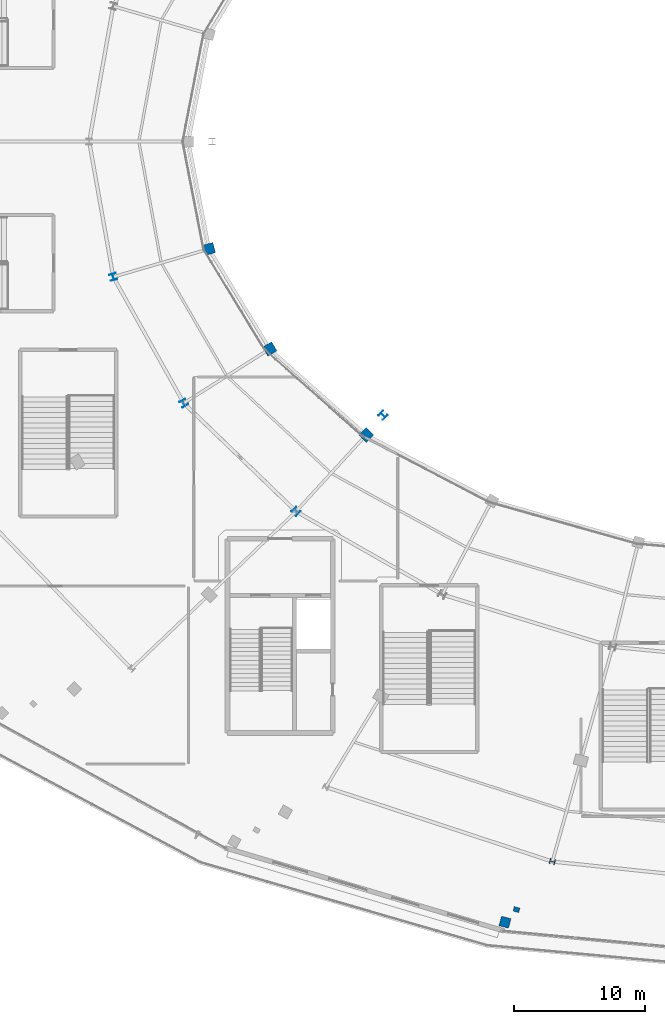
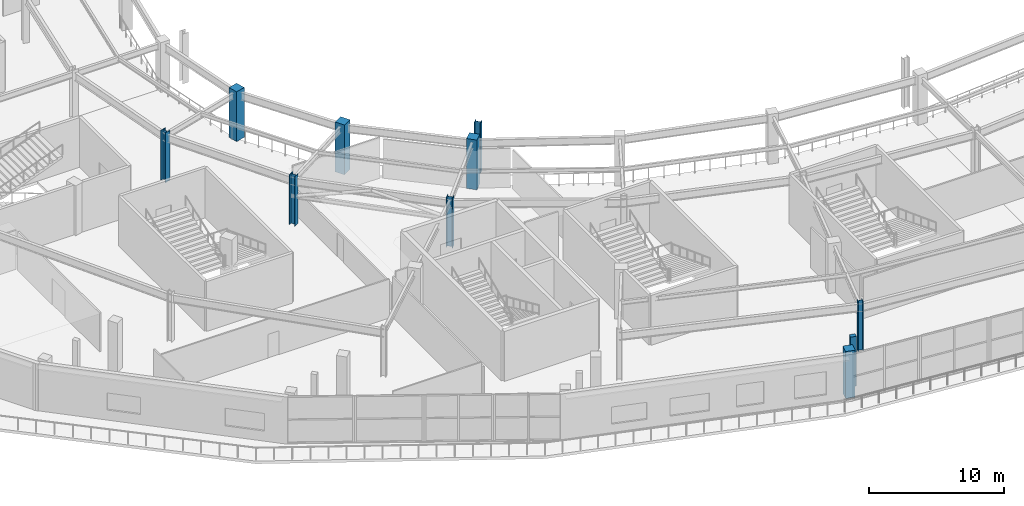
# One storey, part 3 of 107: 10 columns.
"""IFC4 building model written with IfcOpenShell, lengths in metres."""

from ifc_helpers import new_model, si_unit, direction, frame, origin, origin_2d, place, context, subcontext, project, spatial, rectangle, i_section, extrude, material, material_profile, profile_set, type_object, element, save


model = new_model("IFC4")

# Units and contexts
model_context = context("Model", 3, precision=1e-05, world=origin(), true_north=direction((0.0, 1.0)))
body_context = subcontext(model_context, "Body", "Model", "MODEL_VIEW")
ifc_project = project(units=[si_unit("LENGTHUNIT", "METRE"), si_unit("AREAUNIT", "SQUARE_METRE"), si_unit("VOLUMEUNIT", "CUBIC_METRE"), si_unit("PLANEANGLEUNIT", "RADIAN"), si_unit("MASSUNIT", "GRAM", prefix="KILO")], contexts=[model_context])

# Site, building, storey
site_placement = place(None, origin())
site = spatial("IfcSite", under=ifc_project, at=site_placement, CompositionType="ELEMENT")
building_placement = place(site_placement, origin())
building = spatial("IfcBuilding", under=site, at=building_placement, Name="Kalgoora Escarpment Arena", CompositionType="ELEMENT")
storey_placement = place(building_placement, frame((0.0, 0.0, 5.39990234375)))
storey = spatial("IfcBuildingStorey", under=building, at=storey_placement, Name="L01", CompositionType="ELEMENT", Elevation=5.39990234375)

# Columns
ifc_material_1 = material(Name="Structural steel Grade 350 (350 MPa)", Category="steel")
ifc_material_profile_1 = material_profile(ifc_material_1, i_section(OverallWidth=0.39990234375, OverallDepth=0.39990234375, WebThickness=0.01806640625, FlangeThickness=0.031982421875, at=origin_2d()))
ifc_profile_set_1 = profile_set([ifc_material_profile_1], Name="Structural steel Grade 350 (350 MPa)")
column_type_1 = type_object("IfcColumnType", Name="COL-COL-400WC270", PredefinedType="COLUMN", material=ifc_profile_set_1)
column_1_placement = place(storey_placement, frame((73.81689453125, 8.942138671875, 0.0), z_axis=(0.0, 0.0, 1.0), x_axis=(-0.258819045103, -0.965925826289, 0.0)))
element("IfcColumn", 1, at=column_1_placement, inside=storey, type_object=column_type_1, Name="L01 structural column COL-RCONC2-R18", PredefinedType="COLUMN", context=body_context, shape_type="SweptSolid", body=[
    extrude(i_section(OverallWidth=0.39990234375, OverallDepth=0.39990234375, WebThickness=0.01806640625, FlangeThickness=0.031982421875, at=origin_2d()), origin(), (0.0, 0.0, 1.0), 4.5),
])
ifc_material_2 = material(Name="Structural steel Grade 350 (350 MPa)", Category="steel")
ifc_material_profile_2 = material_profile(ifc_material_2, i_section(OverallWidth=0.5, OverallDepth=0.5, WebThickness=0.02001953125, FlangeThickness=0.034912109375, at=origin_2d()))
ifc_profile_set_2 = profile_set([ifc_material_profile_2], Name="Structural steel Grade 350 (350 MPa)")
column_type_2 = type_object("IfcColumnType", Name="COL-COL-500WC340", PredefinedType="COLUMN", material=ifc_profile_set_2)
for number, where, z_axis, x_axis, name in (
    (2, (40.239990234375, 53.647216796875, 0.0), (0.0, 0.0, 1.0), (-0.965925826289, -0.258819045103, 0.0), "L01 structural column COL-RMAIN-R14"),
    (3, (45.634521484375, 44.0, 0.0), (0.0, 0.0, 1.0), (-0.866025403784, -0.5, 0.0), "L01 structural column COL-RMAIN-R15"),
    (4, (54.21630859375, 35.7158203125, 0.0), (0.0, 0.0, 1.0), (-0.707106781187, -0.707106781187, 0.0), "L01 structural column COL-RMAIN-R16"),
    (5, (60.863037109375, 43.069580078125, 0.0), (0.0, 0.0, 1.0), (-0.707106781187, -0.707106781187, 0.0), "L01 structural column COL-TSPINE-S06"),
):
    element("IfcColumn", number, at=place(storey_placement, frame(where, z_axis=z_axis, x_axis=x_axis)), inside=storey, type_object=column_type_2, Name=name, PredefinedType="COLUMN", context=body_context, shape_type="SweptSolid", body=[
        extrude(i_section(OverallWidth=0.5, OverallDepth=0.5, WebThickness=0.02001953125, FlangeThickness=0.034912109375, at=origin_2d()), origin(), (0.0, 0.0, 1.0), 4.5),
    ])
ifc_material_3 = material(Name="Concrete N50 (fc' 50 MPa)", Category="concrete")
ifc_material_profile_3 = material_profile(ifc_material_3, rectangle(XDim=0.75, YDim=0.75, at=origin_2d()))
ifc_profile_set_3 = profile_set([ifc_material_profile_3], Name="Concrete N50 (fc' 50 MPa)")
column_type_3 = type_object("IfcColumnType", Name="COL-COL-RC750x750", PredefinedType="COLUMN", material=ifc_profile_set_3)
column_2_placement = place(storey_placement, frame((70.193359375, 4.305908203125, 0.0), z_axis=(0.0, 0.0, 1.0), x_axis=(-0.258819045103, -0.965925826289, 0.0)))
element("IfcColumn", 6, at=column_2_placement, inside=storey, type_object=column_type_3, Name="L01 structural column COL-RBASE2-R18", PredefinedType="COLUMN", context=body_context, shape_type="SweptSolid", body=[
    extrude(rectangle(XDim=0.75, YDim=0.75, at=origin_2d()), origin(), (0.0, 0.0, 1.0), 4.25),
])
ifc_material_4 = material(Name="Concrete N50 (fc' 50 MPa)", Category="concrete")
ifc_material_profile_4 = material_profile(ifc_material_4, rectangle(XDim=0.800048828125, YDim=0.800048828125, at=origin_2d()))
ifc_profile_set_4 = profile_set([ifc_material_profile_4], Name="Concrete N50 (fc' 50 MPa)")
column_type_4 = type_object("IfcColumnType", Name="COL-COL-RC800x800", PredefinedType="COLUMN", material=ifc_profile_set_4)
for number, where, z_axis, x_axis, name in (
    (7, (47.5712890625, 55.790283203125, 0.0), (0.0, 0.0, 1.0), (-0.965925826289, -0.258819045103, 0.0), "L01 structural column COL-RMID-R14"),
    (8, (52.207763671875, 48.139892578125, 0.0), (0.0, 0.0, 1.0), (-0.866025403784, -0.5, 0.0), "L01 structural column COL-RMID-R15"),
    (9, (59.583251953125, 41.570556640625, 0.0), (0.0, 0.0, 1.0), (-0.707106781187, -0.707106781187, 0.0), "L01 structural column COL-RMID-R16"),
):
    element("IfcColumn", number, at=place(storey_placement, frame(where, z_axis=z_axis, x_axis=x_axis)), inside=storey, type_object=column_type_4, Name=name, PredefinedType="COLUMN", context=body_context, shape_type="SweptSolid", body=[
        extrude(rectangle(XDim=0.800048828125, YDim=0.800048828125, at=origin_2d()), origin(), (0.0, 0.0, 1.0), 4.5),
    ])
ifc_material_5 = material(Name="Precast concrete N50 (fc' 50 MPa)", Category="concrete")
ifc_material_profile_5 = material_profile(ifc_material_5, rectangle(XDim=0.35009765625, YDim=0.449951171875, at=origin_2d()))
ifc_profile_set_5 = profile_set([ifc_material_profile_5], Name="Precast concrete N50 (fc' 50 MPa)")
column_type_5 = type_object("IfcColumnType", Name="COL-PIL-PC-PILASTER-450x350", PredefinedType="PILASTER", material=ifc_profile_set_5)
column_3_placement = place(storey_placement, frame((71.072998046875, 5.27197265625, 0.0), z_axis=(0.0, 0.0, 1.0), x_axis=(-0.258819045103, -0.965925826289, 0.0)))
element("IfcColumn", 10, at=column_3_placement, inside=storey, type_object=column_type_5, Name="L01 fluted pilaster PIL-063", PredefinedType="PILASTER", context=body_context, shape_type="SweptSolid", body=[
    extrude(rectangle(XDim=0.35009765625, YDim=0.449951171875, at=origin_2d()), origin(), (0.0, 0.0, 1.0), 4.5),
])

save(model, "model.ifc")
